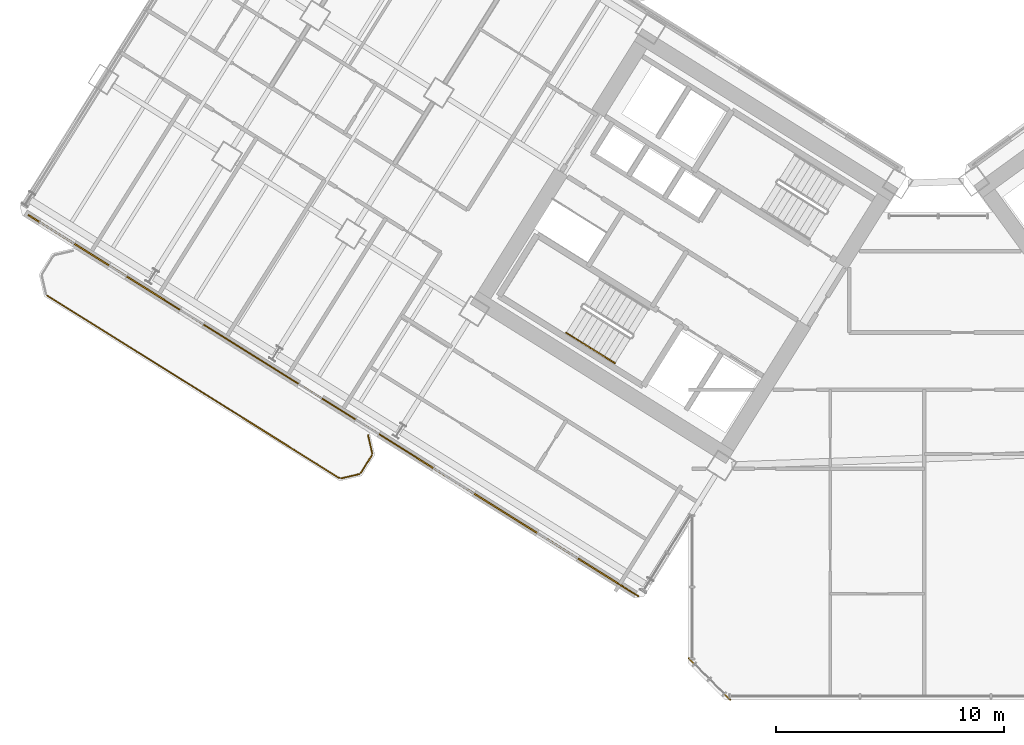
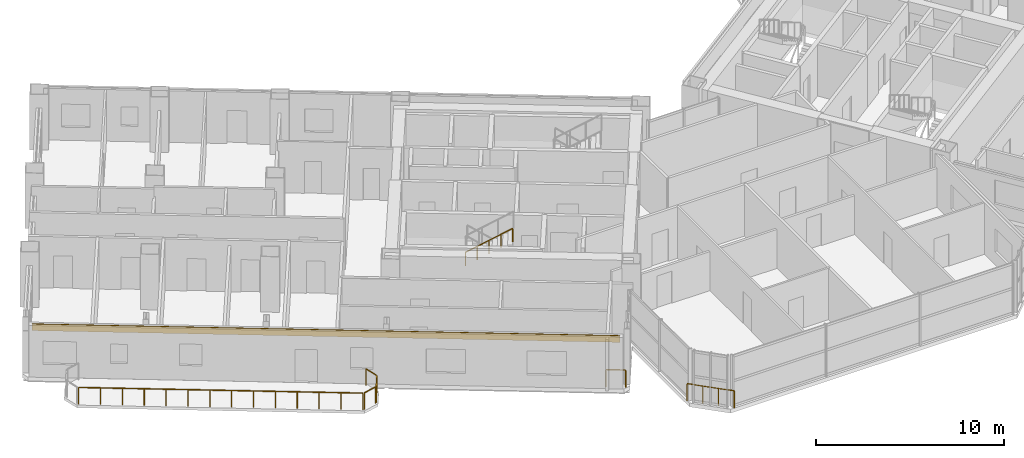
# One storey, part 21 of 28: 8 railings, 1 covering.
"""IFC4 building model written with IfcOpenShell, lengths in metres."""

from ifc_helpers import new_model, si_unit, direction, frame, origin, origin_2d, place, context, subcontext, project, spatial, rectangle, extrude, source, transform, mapped, material, layer, layer_set, type_object, element, save


model = new_model("IFC4")

# Units and contexts
model_context = context("Model", 3, precision=1e-05, world=origin(), true_north=direction((0.0, 1.0)))
body_context = subcontext(model_context, "Body", "Model", "MODEL_VIEW")
ifc_project = project(units=[si_unit("LENGTHUNIT", "METRE"), si_unit("AREAUNIT", "SQUARE_METRE"), si_unit("VOLUMEUNIT", "CUBIC_METRE"), si_unit("PLANEANGLEUNIT", "RADIAN"), si_unit("MASSUNIT", "GRAM", prefix="KILO")], contexts=[model_context])

# Site, building, storey
site_placement = place(None, origin())
site = spatial("IfcSite", under=ifc_project, at=site_placement, CompositionType="ELEMENT")
building_placement = place(site_placement, origin())
building = spatial("IfcBuilding", under=site, at=building_placement, Name="Tlacorven Tower", CompositionType="ELEMENT")
storey_placement = place(building_placement, frame((0.0, 0.0, 56.39990234375)))
storey = spatial("IfcBuildingStorey", under=building, at=storey_placement, Name="L14", CompositionType="ELEMENT", Elevation=56.39990234375)

# Railings
ifc_material_1 = material(Name="Aluminium and painted steel balustrade", Category="steel")
railing_type_1 = type_object("IfcRailingType", Name="RL-BAL-1100", PredefinedType="BALUSTRADE", material=ifc_material_1)
shared_shape_1 = source(origin(), body_context, "Body", "SweptSolid", [
    extrude(rectangle(XDim=0.048095703125, YDim=0.048095703125, at=origin_2d()), frame((0.0, 0.0, 1.076171875), z_axis=(0.225058334816, -0.974345290916, 0.0), x_axis=(0.974345290916, 0.225058334816, 0.0)), (0.0, 0.0, 1.0), 0.80712890625),
    extrude(rectangle(XDim=0.0419921875, YDim=0.0419921875, at=origin_2d()), origin(), (0.0, 0.0, 1.0), 1.052001953125),
    extrude(rectangle(XDim=0.0419921875, YDim=0.0419921875, at=origin_2d()), frame((0.181640625, -0.786376953125, 0.0)), (0.0, 0.0, 1.0), 1.052001953125),
])
railing_1_placement = place(storey_placement, frame((17.5244140625, 13.413330078125, 0.0)))
element("IfcRailing", 1, at=railing_1_placement, inside=storey, type_object=railing_type_1, Name="BAL-L14-W-OUT Guard Railing 1", PredefinedType="BALUSTRADE", context=body_context, shape_type="MappedRepresentation", body=[
    mapped(shared_shape_1, transform((0.0, 0.0, 0.0), scale=1.0)),
])
shared_shape_2 = source(origin(), body_context, "Body", "SweptSolid", [
    extrude(rectangle(XDim=0.048095703125, YDim=0.048095703125, at=origin_2d()), frame((0.0, 0.0, 1.076171875), z_axis=(-0.52987865805, -0.848073468364, 0.0), x_axis=(0.848073468364, -0.52987865805, 0.0)), (0.0, 0.0, 1.0), 0.912353515625),
    extrude(rectangle(XDim=0.0419921875, YDim=0.0419921875, at=origin_2d()), origin(), (0.0, 0.0, 1.0), 1.052001953125),
    extrude(rectangle(XDim=0.0419921875, YDim=0.0419921875, at=origin_2d()), frame((-0.4833984375, -0.773681640625, 0.0)), (0.0, 0.0, 1.0), 1.052001953125),
])
railing_2_placement = place(storey_placement, frame((17.690673828125, 12.535888671875, 0.0)))
element("IfcRailing", 2, at=railing_2_placement, inside=storey, type_object=railing_type_1, Name="BAL-L14-W-OUT Guard Railing 2", PredefinedType="BALUSTRADE", context=body_context, shape_type="MappedRepresentation", body=[
    mapped(shared_shape_2, transform((0.0, 0.0, 0.0), scale=1.0)),
])
shared_shape_3 = source(origin(), body_context, "Body", "SweptSolid", [
    extrude(rectangle(XDim=0.048095703125, YDim=0.048095703125, at=origin_2d()), frame((0.0, 0.0, 1.076171875), z_axis=(-0.974411586182, -0.224771129628, 0.0), x_axis=(0.224771129628, -0.974411586182, 0.0)), (0.0, 0.0, 1.0), 0.80712890625),
    extrude(rectangle(XDim=0.0419921875, YDim=0.0419921875, at=origin_2d()), origin(), (0.0, 0.0, 1.0), 1.052001953125),
    extrude(rectangle(XDim=0.0419921875, YDim=0.0419921875, at=origin_2d()), frame((-0.786376953125, -0.181396484375, 0.0)), (0.0, 0.0, 1.0), 1.052001953125),
])
railing_3_placement = place(storey_placement, frame((17.132080078125, 11.70849609375, 0.0)))
element("IfcRailing", 3, at=railing_3_placement, inside=storey, type_object=railing_type_1, Name="BAL-L14-W-OUT Guard Railing 3", PredefinedType="BALUSTRADE", context=body_context, shape_type="MappedRepresentation", body=[
    mapped(shared_shape_3, transform((0.0, 0.0, 0.0), scale=1.0)),
])
shared_shape_4 = source(origin(), body_context, "Body", "SweptSolid", [
    extrude(rectangle(XDim=0.048095703125, YDim=0.048095703125, at=origin_2d()), frame((0.0, 0.0, 1.076171875), z_axis=(-0.848044572804, 0.529924902733, 0.0), x_axis=(-0.529924902733, -0.848044572804, 0.0)), (0.0, 0.0, 1.0), 15.1171875),
    extrude(rectangle(XDim=0.0419921875, YDim=0.0419921875, at=origin_2d()), origin(), (0.0, 0.0, 1.0), 1.052001953125),
    extrude(rectangle(XDim=0.0419921875, YDim=0.0419921875, at=origin_2d()), frame((-0.986083984375, 0.6162109375, 0.0)), (0.0, 0.0, 1.0), 1.052001953125),
    extrude(rectangle(XDim=0.0419921875, YDim=0.0419921875, at=origin_2d()), frame((-1.972412109375, 1.232421875, 0.0)), (0.0, 0.0, 1.0), 1.052001953125),
    extrude(rectangle(XDim=0.0419921875, YDim=0.0419921875, at=origin_2d()), frame((-2.95849609375, 1.8486328125, 0.0)), (0.0, 0.0, 1.0), 1.052001953125),
    extrude(rectangle(XDim=0.0419921875, YDim=0.0419921875, at=origin_2d()), frame((-3.944580078125, 2.46484375, 0.0)), (0.0, 0.0, 1.0), 1.052001953125),
    extrude(rectangle(XDim=0.0419921875, YDim=0.0419921875, at=origin_2d()), frame((-4.930908203125, 3.0810546875, 0.0)), (0.0, 0.0, 1.0), 1.052001953125),
    extrude(rectangle(XDim=0.0419921875, YDim=0.0419921875, at=origin_2d()), frame((-5.9169921875, 3.697265625, 0.0)), (0.0, 0.0, 1.0), 1.052001953125),
    extrude(rectangle(XDim=0.0419921875, YDim=0.0419921875, at=origin_2d()), frame((-6.903076171875, 4.313720703125, 0.0)), (0.0, 0.0, 1.0), 1.052001953125),
    extrude(rectangle(XDim=0.0419921875, YDim=0.0419921875, at=origin_2d()), frame((-7.88916015625, 4.929931640625, 0.0)), (0.0, 0.0, 1.0), 1.052001953125),
    extrude(rectangle(XDim=0.0419921875, YDim=0.0419921875, at=origin_2d()), frame((-8.87548828125, 5.546142578125, 0.0)), (0.0, 0.0, 1.0), 1.052001953125),
    extrude(rectangle(XDim=0.0419921875, YDim=0.0419921875, at=origin_2d()), frame((-9.861572265625, 6.162353515625, 0.0)), (0.0, 0.0, 1.0), 1.052001953125),
    extrude(rectangle(XDim=0.0419921875, YDim=0.0419921875, at=origin_2d()), frame((-10.84765625, 6.778564453125, 0.0)), (0.0, 0.0, 1.0), 1.052001953125),
    extrude(rectangle(XDim=0.0419921875, YDim=0.0419921875, at=origin_2d()), frame((-11.833984375, 7.394775390625, 0.0)), (0.0, 0.0, 1.0), 1.052001953125),
    extrude(rectangle(XDim=0.0419921875, YDim=0.0419921875, at=origin_2d()), frame((-12.820068359375, 8.010986328125, 0.0)), (0.0, 0.0, 1.0), 1.052001953125),
])
railing_4_placement = place(storey_placement, frame((16.254638671875, 11.542236328125, 0.0)))
element("IfcRailing", 4, at=railing_4_placement, inside=storey, type_object=railing_type_1, Name="BAL-L14-W-OUT Guard Railing 4", PredefinedType="BALUSTRADE", context=body_context, shape_type="MappedRepresentation", body=[
    mapped(shared_shape_4, transform((0.0, 0.0, 0.0), scale=1.0)),
])
railing_type_2 = type_object("IfcRailingType", Name="RL-GRD-1150", PredefinedType="GUARDRAIL", material=ifc_material_1)
shared_shape_5 = source(origin(), body_context, "Body", "SweptSolid", [
    extrude(rectangle(XDim=0.048095703125, YDim=0.048095703125, at=origin_2d()), frame((0.0, 0.0, 1.1259765625), z_axis=(-0.707106781187, 0.707106781187, 0.0), x_axis=(-0.707106781187, -0.707106781187, 0.0)), (0.0, 0.0, 1.0), 2.590087890625),
    extrude(rectangle(XDim=0.0419921875, YDim=0.0419921875, at=origin_2d()), origin(), (0.0, 0.0, 1.0), 1.101806640625),
    extrude(rectangle(XDim=0.0419921875, YDim=0.0419921875, at=origin_2d()), frame((-0.610595703125, 0.610595703125, 0.0)), (0.0, 0.0, 1.0), 1.101806640625),
    extrude(rectangle(XDim=0.0419921875, YDim=0.0419921875, at=origin_2d()), frame((-1.220947265625, 1.220947265625, 0.0)), (0.0, 0.0, 1.0), 1.101806640625),
    extrude(rectangle(XDim=0.0419921875, YDim=0.0419921875, at=origin_2d()), frame((-1.83154296875, 1.83154296875, 0.0)), (0.0, 0.0, 1.0), 1.101806640625),
])
railing_5_placement = place(storey_placement, frame((33.428955078125, 1.79736328125, 0.0)))
element("IfcRailing", 5, at=railing_5_placement, inside=storey, type_object=railing_type_2, Name="L14 Knuckle Glazed Sill Guard 1", PredefinedType="GUARDRAIL", context=body_context, shape_type="MappedRepresentation", body=[
    mapped(shared_shape_5, transform((0.0, 0.0, 0.0), scale=1.0)),
])
shared_shape_6 = source(origin(), body_context, "Body", "SweptSolid", [
    extrude(rectangle(XDim=0.048095703125, YDim=0.048095703125, at=origin_2d()), frame((0.0, 0.0, 1.1259765625), z_axis=(-0.848102774857, 0.529831749973, 0.0), x_axis=(-0.529831749973, -0.848102774857, 0.0)), (0.0, 0.0, 1.0), 1.050048828125),
    extrude(rectangle(XDim=0.0419921875, YDim=0.0419921875, at=origin_2d()), origin(), (0.0, 0.0, 1.0), 1.101806640625),
    extrude(rectangle(XDim=0.0419921875, YDim=0.0419921875, at=origin_2d()), frame((-0.890625, 0.556396484375, 0.0)), (0.0, 0.0, 1.0), 1.101806640625),
])
railing_6_placement = place(storey_placement, frame((29.39501953125, 6.35009765625, 0.0)))
element("IfcRailing", 6, at=railing_6_placement, inside=storey, type_object=railing_type_2, Name="L14 Knuckle Glazed Sill Guard 2", PredefinedType="GUARDRAIL", context=body_context, shape_type="MappedRepresentation", body=[
    mapped(shared_shape_6, transform((0.0, 0.0, 0.0), scale=1.0)),
])

# Covering
ifc_material_2 = material(Name="Precast concrete C45/55", Category="concrete")
ifc_layer = layer(ifc_material_2, 0.06005859375)
ifc_layer_set = layer_set([ifc_layer], Name="Precast concrete C45/55")
covering_type = type_object("IfcCoveringType", Name="CV-CLD-TERC", PredefinedType="CLADDING", material=ifc_layer_set)
shared_shape_7 = source(origin(), body_context, "Body", "SweptSolid", [
    extrude(rectangle(XDim=31.287353515625, YDim=0.06005859375, at=origin_2d()), origin(), (0.0, 0.0, 1.0), 0.419921875),
])
covering_placement = place(storey_placement, frame((15.8740234375, 14.798828125, 2.93017578125), z_axis=(0.0, 0.0, 1.0), x_axis=(-0.84804812172, 0.529919223323, 0.0)))
element("IfcCovering", 7, at=covering_placement, inside=storey, type_object=covering_type, Name="L14 Masonry-Frame Spandrel Cladding 1", PredefinedType="CLADDING", context=body_context, shape_type="MappedRepresentation", body=[
    mapped(shared_shape_7, transform((0.0, 0.0, 0.0), scale=1.0)),
])

# Railings
railing_type_3 = type_object("IfcRailingType", Name="RL-HND-0900", PredefinedType="HANDRAIL", material=ifc_material_1)
shared_shape_8 = source(origin(), body_context, "Body", "SweptSolid", [
    extrude(rectangle(XDim=0.048095703125, YDim=0.048095703125, at=origin_2d()), frame((0.0, 0.0, 0.8759765625), z_axis=(0.713359751793, -0.4457479829, 0.540764828981), x_axis=(0.529911857636, 0.848052724267, 0.0)), (0.0, 0.0, 1.0), 1.498046875),
    extrude(rectangle(XDim=0.0419921875, YDim=0.0419921875, at=origin_2d()), origin(), (0.0, 0.0, 1.0), 0.851806640625),
    extrude(rectangle(XDim=0.0419921875, YDim=0.0419921875, at=origin_2d()), frame((0.5341796875, -0.333984375, 0.405029296875)), (0.0, 0.0, 1.0), 0.851806640625),
    extrude(rectangle(XDim=0.0419921875, YDim=0.0419921875, at=origin_2d()), frame((1.068603515625, -0.667724609375, 0.81005859375)), (0.0, 0.0, 1.0), 0.851806640625),
])
railing_7_placement = place(storey_placement, frame((26.228759765625, 17.915283203125, 1.97998046875)))
element("IfcRailing", 8, at=railing_7_placement, inside=storey, type_object=railing_type_3, Name="L14 ST-W1 stair handrail 3", PredefinedType="HANDRAIL", context=body_context, shape_type="MappedRepresentation", body=[
    mapped(shared_shape_8, transform((0.0, 0.0, 0.0), scale=1.0)),
])
shared_shape_9 = source(origin(), body_context, "Body", "SweptSolid", [
    extrude(rectangle(XDim=0.048095703125, YDim=0.048095703125, at=origin_2d()), frame((0.0, 0.0, 0.8759765625), z_axis=(0.713279695859, -0.445799809912, 0.540827703579), x_axis=(0.529998940003, 0.847998304005, 0.0)), (0.0, 0.0, 1.0), 1.497802734375),
    extrude(rectangle(XDim=0.0419921875, YDim=0.0419921875, at=origin_2d()), origin(), (0.0, 0.0, 1.0), 0.851806640625),
    extrude(rectangle(XDim=0.0419921875, YDim=0.0419921875, at=origin_2d()), frame((0.5341796875, -0.333984375, 0.405029296875)), (0.0, 0.0, 1.0), 0.851806640625),
    extrude(rectangle(XDim=0.0419921875, YDim=0.0419921875, at=origin_2d()), frame((1.068359375, -0.667724609375, 0.81005859375)), (0.0, 0.0, 1.0), 0.851806640625),
])
railing_8_placement = place(storey_placement, frame((27.29736328125, 17.24755859375, 2.7900390625)))
element("IfcRailing", 9, at=railing_8_placement, inside=storey, type_object=railing_type_3, Name="L14 ST-W1 stair handrail 4", PredefinedType="HANDRAIL", context=body_context, shape_type="MappedRepresentation", body=[
    mapped(shared_shape_9, transform((0.0, 0.0, 0.0), scale=1.0)),
])

save(model, "model.ifc")
